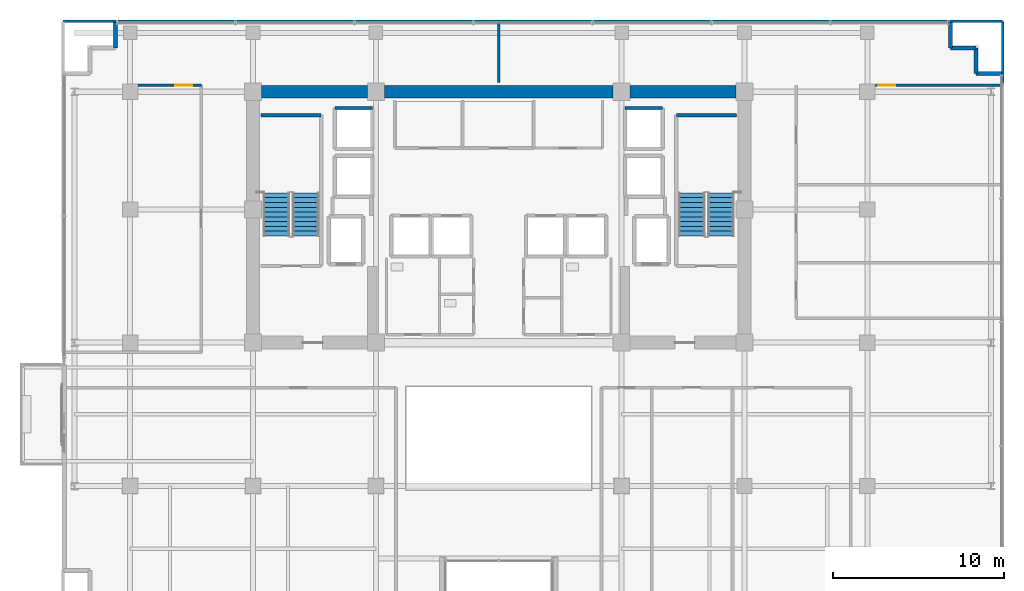
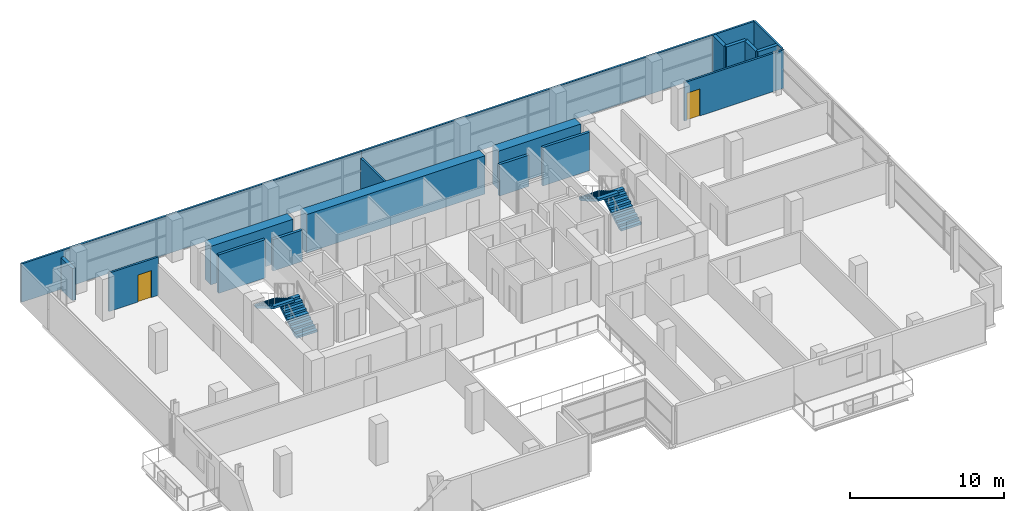
# One storey, part 18 of 22: 18 walls, 4 stair flights, 2 doors, 2 openings, 2 elements without a shape of their own.
"""IFC4 building model written with IfcOpenShell, lengths in metres."""

from ifc_helpers import new_model, si_unit, direction, frame, frame_2d, origin, place, context, subcontext, project, spatial, polyline, rectangle, outline, extrude, source, transform, mapped, material, layer, layer_set, type_object, element, fill, aggregate, save


model = new_model("IFC4")

# Units and contexts
model_context = context("Model", 3, precision=1e-05, world=origin(), true_north=direction((0.0, 1.0)))
body_context = subcontext(model_context, "Body", "Model", "MODEL_VIEW")
ifc_project = project(units=[si_unit("LENGTHUNIT", "METRE"), si_unit("AREAUNIT", "SQUARE_METRE"), si_unit("VOLUMEUNIT", "CUBIC_METRE"), si_unit("PLANEANGLEUNIT", "RADIAN"), si_unit("MASSUNIT", "GRAM", prefix="KILO")], contexts=[model_context])

# Site, building, storey
site_placement = place(None, origin())
site = spatial("IfcSite", under=ifc_project, at=site_placement, CompositionType="ELEMENT")
building_placement = place(site_placement, origin())
building = spatial("IfcBuilding", under=site, at=building_placement, Name="Zarnakvel Exchange Tower", CompositionType="ELEMENT")
storey_placement = place(building_placement, frame((0.0, 0.0, 136.300048828125)))
storey = spatial("IfcBuildingStorey", under=building, at=storey_placement, Name="L38", CompositionType="ELEMENT", Elevation=136.300048828125)

# Walls
ifc_material_1 = material(Name="Concrete C60/75", Category="concrete")
ifc_layer_1 = layer(ifc_material_1, 0.75)
ifc_layer_set_1 = layer_set([ifc_layer_1], Name="Concrete C60/75")
wall_type_1 = type_object("IfcWallType", Name="CW-C3", PredefinedType="SHEAR", material=ifc_layer_set_1)
wall_1_placement = place(storey_placement, frame((-13.89990234375, 13.5, 0.0), z_axis=(0.0, 0.0, 1.0), x_axis=(1.0, 0.0, 0.0)))
element("IfcWall", 1, at=wall_1_placement, inside=storey, type_object=wall_type_1, Name="L38 Rear Core Shear Wall N1 (CW-C3)", PredefinedType="SHEAR", context=body_context, shape_type="SweptSolid", body=[
    extrude(rectangle(XDim=6.199951171875, YDim=0.75, at=frame_2d((3.10009765625, 0.0))), origin(), (0.0, 0.0, 1.0), 3.050048828125),
])
wall_2_placement = place(storey_placement, frame((-6.699951171875, 13.5, 0.0), z_axis=(0.0, 0.0, 1.0), x_axis=(1.0, 0.0, 0.0)))
element("IfcWall", 2, at=wall_2_placement, inside=storey, type_object=wall_type_1, Name="L38 Rear Core Shear Wall N2 (CW-C3)", PredefinedType="SHEAR", context=body_context, shape_type="SweptSolid", body=[
    extrude(rectangle(XDim=13.39990234375, YDim=0.75, at=frame_2d((6.699951171875, 0.0))), origin(), (0.0, 0.0, 1.0), 3.050048828125),
])
wall_3_placement = place(storey_placement, frame((7.699951171875, 13.5, 0.0), z_axis=(0.0, 0.0, 1.0), x_axis=(1.0, 0.0, 0.0)))
element("IfcWall", 3, at=wall_3_placement, inside=storey, type_object=wall_type_1, Name="L38 Rear Core Shear Wall N3 (CW-C3)", PredefinedType="SHEAR", context=body_context, shape_type="SweptSolid", body=[
    extrude(rectangle(XDim=6.199951171875, YDim=0.75, at=frame_2d((3.10009765625, 0.0))), origin(), (0.0, 0.0, 1.0), 3.050048828125),
])
ifc_material_2 = material(Name="Precast concrete C40/50", Category="concrete")
ifc_layer_2 = layer(ifc_material_2, 0.239990234375)
ifc_layer_set_2 = layer_set([ifc_layer_2], Name="Precast concrete C40/50")
wall_type_2 = type_object("IfcWallType", Name="EW-02", PredefinedType="SOLIDWALL", material=ifc_layer_set_2)
wall_4_placement = place(storey_placement, frame((-22.4599609375, 17.56005859375, 0.0), z_axis=(0.0, 0.0, 1.0), x_axis=(0.0, -1.0, 0.0)))
element("IfcWall", 4, at=wall_4_placement, inside=storey, type_object=wall_type_2, Name="L38 Exterior Precast Spandrel Wall EWC-L38-06 (EW-02)", PredefinedType="SOLIDWALL", context=body_context, shape_type="SweptSolid", body=[
    extrude(rectangle(XDim=1.5, YDim=0.239990234375, at=frame_2d((0.75, 0.0))), origin(), (0.0, 0.0, 1.0), 2.5400390625),
])
for number, where, z_axis, x_axis, name in (
    (5, (26.4599609375, 16.06005859375, 0.0), (0.0, 0.0, 1.0), (0.0, 1.0, 0.0), "L38 Exterior Precast Spandrel Wall EWC-L38-07 (EW-02)"),
    (6, (27.9599609375, 16.06005859375, 0.0), (0.0, 0.0, 1.0), (-1.0, 0.0, 0.0), "L38 Exterior Precast Spandrel Wall EWC-L38-08 (EW-02)"),
    (7, (27.9599609375, 14.56005859375, 0.0), (0.0, 0.0, 1.0), (0.0, 1.0, 0.0), "L38 Exterior Precast Spandrel Wall EWC-L38-09 (EW-02)"),
    (8, (29.4599609375, 14.56005859375, 0.0), (0.0, 0.0, 1.0), (-1.0, 0.0, 0.0), "L38 Exterior Precast Spandrel Wall EWC-L38-10 (EW-02)"),
):
    element("IfcWall", number, at=place(storey_placement, frame(where, z_axis=z_axis, x_axis=x_axis)), inside=storey, type_object=wall_type_2, Name=name, PredefinedType="SOLIDWALL", context=body_context, shape_type="SweptSolid", body=[
        extrude(rectangle(XDim=1.5, YDim=0.239990234375, at=frame_2d((0.75, 0.0))), origin(), (0.0, 0.0, 1.0), 3.050048828125),
    ])

# Wall, opening, door
ifc_material_3 = material(Name="Fire-Rated Gypsum Stud Partition", Category="gypsum")
ifc_layer_3 = layer(ifc_material_3, 0.14990234375)
ifc_layer_set_3 = layer_set([ifc_layer_3], Name="Fire-Rated Gypsum Stud Partition")
wall_type_3 = type_object("IfcWallType", Name="PT-01", PredefinedType="PARTITIONING", material=ifc_layer_set_3)
wall_5_placement = place(storey_placement, frame((-21.1298828125, 13.8798828125, 0.0), z_axis=(0.0, 0.0, 1.0), x_axis=(1.0, 0.0, 0.0)))
wall_5 = element("IfcWall", 9, at=wall_5_placement, inside=storey, type_object=wall_type_3, Name="L38 Partition Wall PWALL-L38-048 (PT-01)", PredefinedType="PARTITIONING", context=body_context, shape_type="SweptSolid", body=[
    extrude(rectangle(XDim=3.699951171875, YDim=0.14990234375, at=frame_2d((1.85009765625, 0.0))), origin(), (0.0, 0.0, 1.0), 3.050048828125),
])
opening_1_placement = place(wall_5_placement, frame((2.18994140625, 0.0, 0.0)))
opening_1 = element("IfcOpeningElement", 10, at=opening_1_placement, cuts=wall_5, Name="Opening D-L38-22", PredefinedType="OPENING", context=body_context, shape_type="SweptSolid", body=[
    extrude(rectangle(XDim=0.97998046875, YDim=2.14990234375, at=frame_2d((0.489990234375, 1.074951171875))), frame((0.0, 0.0849609375, 0.0), z_axis=(0.0, -1.0, 0.0), x_axis=(1.0, 0.0, 0.0)), (0.0, 0.0, 1.0), 0.169921875),
])
ifc_material_4 = material(Name="Timber Acoustic Veneer", Category="wood")
door_type = type_object("IfcDoorType", Name="DT-05", OperationType="NOTDEFINED", PredefinedType="DOOR", material=ifc_material_4)
shared_shape = source(origin(), body_context, "Body", "SweptSolid", [
    extrude(rectangle(XDim=0.97998046875, YDim=2.14990234375, at=frame_2d((0.489990234375, 1.074951171875))), frame((0.0, 0.02490234375, 0.0), z_axis=(0.0, -1.0, 0.0), x_axis=(1.0, 0.0, 0.0)), (0.0, 0.0, 1.0), 0.050048828125),
])
door_1_placement = place(opening_1_placement, origin())
door_1 = element("IfcDoor", 11, at=door_1_placement, inside=storey, type_object=door_type, Name="L38 Legal Records Office Door D-L38-22", OperationType="SINGLE_SWING_LEFT", OverallHeight=2.14990234375, OverallWidth=0.97998046875, PredefinedType="DOOR", context=body_context, shape_type="MappedRepresentation", body=[
    mapped(shared_shape, transform((0.0, 0.0, 0.0), x_axis=(1.0, 0.0, 0.0), y_axis=(0.0, 1.0, 0.0), z_axis=(0.0, 0.0, 1.0), scale=1.0)),
])
fill(opening_1, door_1)

wall_6_placement = place(storey_placement, frame((22.070068359375, 13.8798828125, 0.0), z_axis=(0.0, 0.0, 1.0), x_axis=(1.0, 0.0, 0.0)))
wall_6 = element("IfcWall", 12, at=wall_6_placement, inside=storey, type_object=wall_type_3, Name="L38 Partition Wall PWALL-L38-058 (PT-01)", PredefinedType="PARTITIONING", context=body_context, shape_type="SweptSolid", body=[
    extrude(rectangle(XDim=7.4599609375, YDim=0.14990234375, at=frame_2d((3.72998046875, 0.0))), origin(), (0.0, 0.0, 1.0), 3.050048828125),
])
opening_2_placement = place(wall_6_placement, frame((0.179931640625, 0.0, 0.0)))
opening_2 = element("IfcOpeningElement", 13, at=opening_2_placement, cuts=wall_6, Name="Opening D-L38-23", PredefinedType="OPENING", context=body_context, shape_type="SweptSolid", body=[
    extrude(rectangle(XDim=0.97998046875, YDim=2.14990234375, at=frame_2d((0.489990234375, 1.074951171875))), frame((0.0, 0.0849609375, 0.0), z_axis=(0.0, -1.0, 0.0), x_axis=(1.0, 0.0, 0.0)), (0.0, 0.0, 1.0), 0.169921875),
])
door_2_placement = place(opening_2_placement, origin())
door_2 = element("IfcDoor", 14, at=door_2_placement, inside=storey, type_object=door_type, Name="L38 Client Advisory Suite Door D-L38-23", OperationType="SINGLE_SWING_RIGHT", OverallHeight=2.14990234375, OverallWidth=0.97998046875, PredefinedType="DOOR", context=body_context, shape_type="MappedRepresentation", body=[
    mapped(shared_shape, transform((0.0, 0.0, 0.0), x_axis=(1.0, 0.0, 0.0), y_axis=(0.0, 1.0, 0.0), z_axis=(0.0, 0.0, 1.0), scale=1.0)),
])
fill(opening_2, door_2)

# Walls
wall_7_placement = place(storey_placement, frame((-25.530029296875, 17.6298828125, 0.0), z_axis=(0.0, 0.0, 1.0), x_axis=(1.0, 0.0, 0.0)))
element("IfcWall", 15, at=wall_7_placement, inside=storey, type_object=wall_type_3, Name="L38 Partition Wall PWALL-L38-061 (PT-01)", PredefinedType="PARTITIONING", context=body_context, shape_type="SweptSolid", body=[
    extrude(rectangle(XDim=25.530029296875, YDim=0.14990234375, at=frame_2d((12.76513671875, 0.0))), origin(), (0.0, 0.0, 1.0), 3.050048828125),
])
wall_8_placement = place(storey_placement, frame((0.0, 17.6298828125, 0.0), z_axis=(0.0, 0.0, 1.0), x_axis=(0.0, -1.0, 0.0)))
element("IfcWall", 16, at=wall_8_placement, inside=storey, type_object=wall_type_3, Name="L38 Partition Wall PWALL-L38-063 (PT-01)", PredefinedType="PARTITIONING", context=body_context, shape_type="SweptSolid", body=[
    extrude(rectangle(XDim=3.599853515625, YDim=0.14990234375, at=frame_2d((1.7998046875, 0.0))), origin(), (0.0, 0.0, 1.0), 2.5400390625),
])
wall_9_placement = place(storey_placement, frame((0.0, 17.6298828125, 0.0), z_axis=(0.0, 0.0, 1.0), x_axis=(1.0, 0.0, 0.0)))
element("IfcWall", 17, at=wall_9_placement, inside=storey, type_object=wall_type_3, Name="L38 Partition Wall PWALL-L38-064 (PT-01)", PredefinedType="PARTITIONING", context=body_context, shape_type="SweptSolid", body=[
    extrude(rectangle(XDim=29.530029296875, YDim=0.14990234375, at=frame_2d((14.76513671875, 0.0))), origin(), (0.0, 0.0, 1.0), 3.050048828125),
])
wall_10_placement = place(storey_placement, frame((29.530029296875, 17.6298828125, 0.0), z_axis=(0.0, 0.0, 1.0), x_axis=(0.0, -1.0, 0.0)))
element("IfcWall", 18, at=wall_10_placement, inside=storey, type_object=wall_type_3, Name="L38 Partition Wall PWALL-L38-065 (PT-01)", PredefinedType="PARTITIONING", context=body_context, shape_type="SweptSolid", body=[
    extrude(rectangle(XDim=3.599853515625, YDim=0.14990234375, at=frame_2d((1.7998046875, 0.0))), origin(), (0.0, 0.0, 1.0), 3.050048828125),
])
ifc_material_5 = material(Name="Concrete C40/50", Category="concrete")
ifc_layer_4 = layer(ifc_material_5, 0.199951171875)
ifc_layer_set_4 = layer_set([ifc_layer_4], Name="Concrete C40/50")
wall_type_4 = type_object("IfcWallType", Name="SW-01", PredefinedType="SOLIDWALL", material=ifc_layer_set_4)
for number, where, z_axis, x_axis, name in (
    (19, (-9.60009765625, 12.550048828125, 0.0), (0.0, 0.0, 1.0), (1.0, 0.0, 0.0), "L38 PL-10 Hoistway Wall North"),
    (20, (7.39990234375, 12.550048828125, 0.0), (0.0, 0.0, 1.0), (1.0, 0.0, 0.0), "L38 PL-12 Hoistway Wall North"),
):
    element("IfcWall", number, at=place(storey_placement, frame(where, z_axis=z_axis, x_axis=x_axis)), inside=storey, type_object=wall_type_4, Name=name, PredefinedType="SOLIDWALL", context=body_context, shape_type="SweptSolid", body=[
        extrude(rectangle(XDim=2.2001953125, YDim=0.199951171875, at=frame_2d((1.10009765625, 0.0))), origin(), (0.0, 0.0, 1.0), 2.489990234375),
    ])
ifc_layer_5 = layer(ifc_material_5, 0.199951171875)
ifc_layer_set_5 = layer_set([ifc_layer_5], Name="Concrete C40/50")
wall_type_5 = type_object("IfcWallType", Name="SW-02", PredefinedType="SOLIDWALL", material=ifc_layer_set_5)
for number, where, z_axis, x_axis, name in (
    (21, (-13.929931640625, 12.1298828125, 0.0), (0.0, 0.0, 1.0), (1.0, 0.0, 0.0), "L38 Stairwell Core Wall PWALL-L38-002 (SW-02)"),
    (22, (10.409912109375, 12.1298828125, 0.0), (0.0, 0.0, 1.0), (1.0, 0.0, 0.0), "L38 Stairwell Core Wall PWALL-L38-005 (SW-02)"),
):
    element("IfcWall", number, at=place(storey_placement, frame(where, z_axis=z_axis, x_axis=x_axis)), inside=storey, type_object=wall_type_5, Name=name, PredefinedType="SOLIDWALL", context=body_context, shape_type="SweptSolid", body=[
        extrude(rectangle(XDim=3.52001953125, YDim=0.199951171875, at=frame_2d((1.760009765625, 0.0))), origin(), (0.0, 0.0, 1.0), 3.050048828125),
    ])

# Stair, stair flights
stair_type = type_object("IfcStairType", Name="STR-01", PredefinedType="HALF_TURN_STAIR", material=ifc_material_5)
stair_1_placement = place(storey_placement, origin())
stair_1 = element("IfcStair", 23, at=stair_1_placement, inside=storey, type_object=stair_type, Name="L38 Protected Core Exit Stair ST-01", PredefinedType="HALF_TURN_STAIR")
stair_flight_type = type_object("IfcStairFlightType", Name="FLT-01", PredefinedType="STRAIGHT", material=ifc_material_5)
stair_flight_1_placement = place(storey_placement, frame((-11.31494140625, 5.050048828125, 0.0), z_axis=(0.0, 0.0, 1.0), x_axis=(0.0, 1.0, 0.0)))
stair_flight_1 = element("IfcStairFlight", 24, at=stair_flight_1_placement, type_object=stair_flight_type, Name="ST-01 flight 1", NumberOfRisers=10, NumberOfTreads=9, PredefinedType="STRAIGHT", RiserHeight=0.165, TreadLength=0.28, context=body_context, shape_type="SweptSolid", body=[
    extrude(outline(polyline([(0.0, 0.0), (0.0, 0.1650390625), (0.280029296875, 0.1650390625), (0.280029296875, 0.330078125), (0.56005859375, 0.330078125), (0.56005859375, 0.4951171875), (0.840087890625, 0.4951171875), (0.840087890625, 0.659912109375), (1.1201171875, 0.659912109375), (1.1201171875, 0.824951171875), (1.39990234375, 0.824951171875), (1.39990234375, 0.989990234375), (1.679931640625, 0.989990234375), (1.679931640625, 1.155029296875), (1.9599609375, 1.155029296875), (1.9599609375, 1.320068359375), (2.239990234375, 1.320068359375), (2.239990234375, 1.485107421875), (2.52001953125, 1.485107421875), (2.52001953125, 1.64990234375), (2.52001953125, 1.31103515625), (0.295166015625, 0.0), (0.0, 0.0)])), frame((0.0, 0.77490234375, 0.0), z_axis=(0.0, -1.0, 0.0), x_axis=(1.0, 0.0, 0.0)), (0.0, 0.0, 1.0), 1.550048828125),
])
stair_flight_2_placement = place(storey_placement, frame((-13.02490234375, 7.570068359375, 1.64990234375), z_axis=(0.0, 0.0, 1.0), x_axis=(0.0, -1.0, 0.0)))
stair_flight_2 = element("IfcStairFlight", 25, at=stair_flight_2_placement, type_object=stair_flight_type, Name="ST-01 flight 2", NumberOfRisers=10, NumberOfTreads=9, PredefinedType="STRAIGHT", RiserHeight=0.165, TreadLength=0.28, context=body_context, shape_type="SweptSolid", body=[
    extrude(outline(polyline([(0.0, 0.0), (0.0, 0.1650390625), (0.280029296875, 0.1650390625), (0.280029296875, 0.330078125), (0.56005859375, 0.330078125), (0.56005859375, 0.4951171875), (0.840087890625, 0.4951171875), (0.840087890625, 0.659912109375), (1.1201171875, 0.659912109375), (1.1201171875, 0.824951171875), (1.39990234375, 0.824951171875), (1.39990234375, 0.989990234375), (1.679931640625, 0.989990234375), (1.679931640625, 1.155029296875), (1.9599609375, 1.155029296875), (1.9599609375, 1.320068359375), (2.239990234375, 1.320068359375), (2.239990234375, 1.485107421875), (2.52001953125, 1.485107421875), (2.52001953125, 1.64990234375), (2.52001953125, 1.31103515625), (0.295166015625, 0.0), (0.0, 0.0)])), frame((0.0, 0.77490234375, 0.0), z_axis=(0.0, -1.0, 0.0), x_axis=(1.0, 0.0, 0.0)), (0.0, 0.0, 1.0), 1.550048828125),
])
aggregate(stair_1, [stair_flight_1, stair_flight_2])

stair_2_placement = place(storey_placement, origin())
stair_2 = element("IfcStair", 26, at=stair_2_placement, inside=storey, type_object=stair_type, Name="L38 Protected Core Exit Stair ST-02", PredefinedType="HALF_TURN_STAIR")
stair_flight_3_placement = place(storey_placement, frame((13.02490234375, 5.050048828125, 0.0), z_axis=(0.0, 0.0, 1.0), x_axis=(0.0, 1.0, 0.0)))
stair_flight_3 = element("IfcStairFlight", 27, at=stair_flight_3_placement, type_object=stair_flight_type, Name="ST-02 flight 1", NumberOfRisers=10, NumberOfTreads=9, PredefinedType="STRAIGHT", RiserHeight=0.165, TreadLength=0.28, context=body_context, shape_type="SweptSolid", body=[
    extrude(outline(polyline([(0.0, 0.0), (0.0, 0.1650390625), (0.280029296875, 0.1650390625), (0.280029296875, 0.330078125), (0.56005859375, 0.330078125), (0.56005859375, 0.4951171875), (0.840087890625, 0.4951171875), (0.840087890625, 0.659912109375), (1.1201171875, 0.659912109375), (1.1201171875, 0.824951171875), (1.39990234375, 0.824951171875), (1.39990234375, 0.989990234375), (1.679931640625, 0.989990234375), (1.679931640625, 1.155029296875), (1.9599609375, 1.155029296875), (1.9599609375, 1.320068359375), (2.239990234375, 1.320068359375), (2.239990234375, 1.485107421875), (2.52001953125, 1.485107421875), (2.52001953125, 1.64990234375), (2.52001953125, 1.31103515625), (0.295166015625, 0.0), (0.0, 0.0)])), frame((0.0, 0.77490234375, 0.0), z_axis=(0.0, -1.0, 0.0), x_axis=(1.0, 0.0, 0.0)), (0.0, 0.0, 1.0), 1.550048828125),
])
stair_flight_4_placement = place(storey_placement, frame((11.31494140625, 7.570068359375, 1.64990234375), z_axis=(0.0, 0.0, 1.0), x_axis=(0.0, -1.0, 0.0)))
stair_flight_4 = element("IfcStairFlight", 28, at=stair_flight_4_placement, type_object=stair_flight_type, Name="ST-02 flight 2", NumberOfRisers=10, NumberOfTreads=9, PredefinedType="STRAIGHT", RiserHeight=0.165, TreadLength=0.28, context=body_context, shape_type="SweptSolid", body=[
    extrude(outline(polyline([(0.0, 0.0), (0.0, 0.1650390625), (0.280029296875, 0.1650390625), (0.280029296875, 0.330078125), (0.56005859375, 0.330078125), (0.56005859375, 0.4951171875), (0.840087890625, 0.4951171875), (0.840087890625, 0.659912109375), (1.1201171875, 0.659912109375), (1.1201171875, 0.824951171875), (1.39990234375, 0.824951171875), (1.39990234375, 0.989990234375), (1.679931640625, 0.989990234375), (1.679931640625, 1.155029296875), (1.9599609375, 1.155029296875), (1.9599609375, 1.320068359375), (2.239990234375, 1.320068359375), (2.239990234375, 1.485107421875), (2.52001953125, 1.485107421875), (2.52001953125, 1.64990234375), (2.52001953125, 1.31103515625), (0.295166015625, 0.0), (0.0, 0.0)])), frame((0.0, 0.77490234375, 0.0), z_axis=(0.0, -1.0, 0.0), x_axis=(1.0, 0.0, 0.0)), (0.0, 0.0, 1.0), 1.550048828125),
])
aggregate(stair_2, [stair_flight_3, stair_flight_4])

save(model, "model.ifc")
